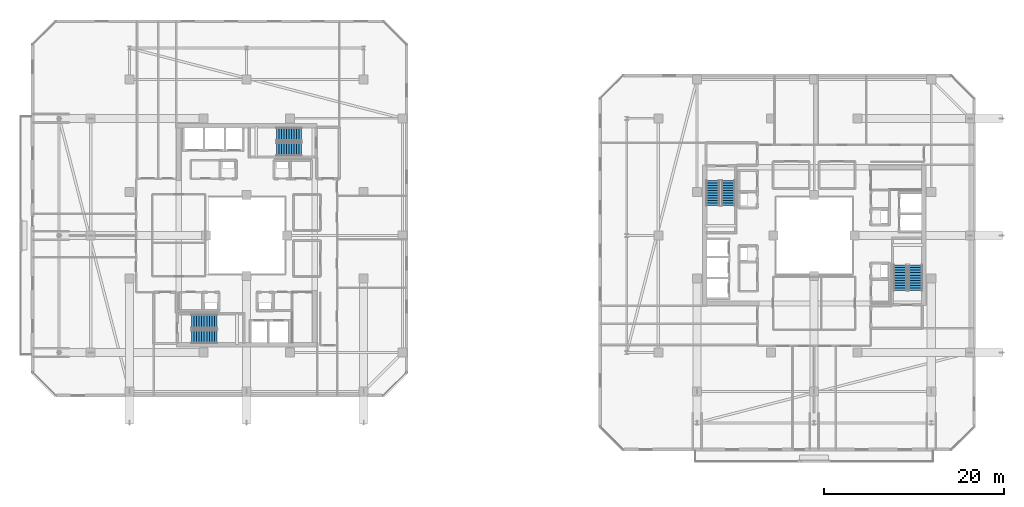
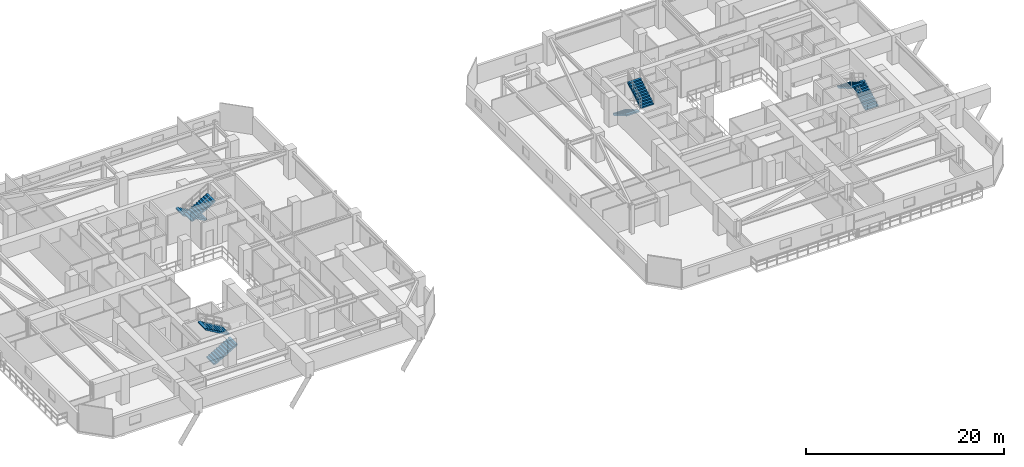
# One storey, part 29 of 35: 8 stair flights, 4 elements without a shape of their own.
"""IFC4 building model written with IfcOpenShell, lengths in metres."""

from ifc_helpers import new_model, si_unit, direction, frame, origin, place, context, subcontext, project, spatial, polyline, outline, extrude, material, type_object, element, aggregate, save


model = new_model("IFC4")

# Units and contexts
model_context = context("Model", 3, precision=1e-05, world=origin(), true_north=direction((0.0, 1.0)))
body_context = subcontext(model_context, "Body", "Model", "MODEL_VIEW")
ifc_project = project(units=[si_unit("LENGTHUNIT", "METRE"), si_unit("AREAUNIT", "SQUARE_METRE"), si_unit("VOLUMEUNIT", "CUBIC_METRE"), si_unit("PLANEANGLEUNIT", "RADIAN"), si_unit("MASSUNIT", "GRAM", prefix="KILO")], contexts=[model_context])

# Site, building, storey
site_placement = place(None, origin())
site = spatial("IfcSite", under=ifc_project, at=site_placement, CompositionType="ELEMENT")
building_placement = place(site_placement, origin())
building = spatial("IfcBuilding", under=site, at=building_placement, Name="Thornwick Lancets Civic Towers", CompositionType="ELEMENT")
storey_placement = place(building_placement, frame((0.0, 0.0, 225.89990234375)))
storey = spatial("IfcBuildingStorey", under=building, at=storey_placement, Name="L60", CompositionType="ELEMENT", Elevation=225.89990234375)

# Stair, stair flights
ifc_material = material(Name="Concrete C40/50", Category="concrete")
stair_type = type_object("IfcStairType", Name="STAIR_DL_3600", PredefinedType="HALF_TURN_STAIR", material=ifc_material)
stair_1_placement = place(storey_placement, origin())
stair_1 = element("IfcStair", 1, at=stair_1_placement, inside=storey, type_object=stair_type, Name="L60 Tower A South Exit Stair ST-A1", PredefinedType="HALF_TURN_STAIR")
stair_flight_type = type_object("IfcStairFlightType", Name="FLIGHT_3600", PredefinedType="STRAIGHT", material=ifc_material)
stair_flight_1_placement = place(storey_placement, frame((19.39990234375, 15.75, 0.0), z_axis=(0.0, 0.0, 1.0), x_axis=(1.0, 0.0, 0.0)))
stair_flight_1 = element("IfcStairFlight", 2, at=stair_flight_1_placement, type_object=stair_flight_type, Name="ST-A1 flight 1", NumberOfRisers=11, NumberOfTreads=10, PredefinedType="STRAIGHT", RiserHeight=0.163636364, TreadLength=0.28, context=body_context, shape_type="SweptSolid", body=[
    extrude(outline(polyline([(0.0, 0.0), (0.0, 0.16357421875), (0.280029296875, 0.16357421875), (0.280029296875, 0.327392578125), (0.56005859375, 0.327392578125), (0.56005859375, 0.490966796875), (0.840087890625, 0.490966796875), (0.840087890625, 0.654541015625), (1.1201171875, 0.654541015625), (1.1201171875, 0.818115234375), (1.39990234375, 0.818115234375), (1.39990234375, 0.98193359375), (1.679931640625, 0.98193359375), (1.679931640625, 1.1455078125), (1.9599609375, 1.1455078125), (1.9599609375, 1.30908203125), (2.239990234375, 1.30908203125), (2.239990234375, 1.47265625), (2.52001953125, 1.47265625), (2.52001953125, 1.636474609375), (2.800048828125, 1.636474609375), (2.800048828125, 1.800048828125), (2.800048828125, 1.462646484375), (0.297119140625, 0.0), (0.0, 0.0)])), frame((0.0, 0.75, 0.0), z_axis=(0.0, -1.0, 0.0), x_axis=(1.0, 0.0, 0.0)), (0.0, 0.0, 1.0), 1.5),
])
stair_flight_2_placement = place(storey_placement, frame((22.199951171875, 17.449951171875, 1.800048828125), z_axis=(0.0, 0.0, 1.0), x_axis=(-1.0, 0.0, 0.0)))
stair_flight_2 = element("IfcStairFlight", 3, at=stair_flight_2_placement, type_object=stair_flight_type, Name="ST-A1 flight 2", NumberOfRisers=11, NumberOfTreads=10, PredefinedType="STRAIGHT", RiserHeight=0.163636364, TreadLength=0.28, context=body_context, shape_type="SweptSolid", body=[
    extrude(outline(polyline([(0.0, 0.0), (0.0, 0.16357421875), (0.280029296875, 0.16357421875), (0.280029296875, 0.327392578125), (0.56005859375, 0.327392578125), (0.56005859375, 0.490966796875), (0.840087890625, 0.490966796875), (0.840087890625, 0.654541015625), (1.1201171875, 0.654541015625), (1.1201171875, 0.818115234375), (1.39990234375, 0.818115234375), (1.39990234375, 0.98193359375), (1.679931640625, 0.98193359375), (1.679931640625, 1.1455078125), (1.9599609375, 1.1455078125), (1.9599609375, 1.30908203125), (2.239990234375, 1.30908203125), (2.239990234375, 1.47265625), (2.52001953125, 1.47265625), (2.52001953125, 1.636474609375), (2.800048828125, 1.636474609375), (2.800048828125, 1.800048828125), (2.800048828125, 1.462646484375), (0.297119140625, 0.0), (0.0, 0.0)])), frame((0.0, 0.75, 0.0), z_axis=(0.0, -1.0, 0.0), x_axis=(1.0, 0.0, 0.0)), (0.0, 0.0, 1.0), 1.5),
])
aggregate(stair_1, [stair_flight_1, stair_flight_2])

stair_2_placement = place(storey_placement, origin())
stair_2 = element("IfcStair", 4, at=stair_2_placement, inside=storey, type_object=stair_type, Name="L60 Tower A North Exit Stair ST-A2", PredefinedType="HALF_TURN_STAIR")
stair_flight_3_placement = place(storey_placement, frame((31.60009765625, 38.25, 0.0), z_axis=(0.0, 0.0, 1.0), x_axis=(-1.0, 0.0, 0.0)))
stair_flight_3 = element("IfcStairFlight", 5, at=stair_flight_3_placement, type_object=stair_flight_type, Name="ST-A2 flight 1", NumberOfRisers=11, NumberOfTreads=10, PredefinedType="STRAIGHT", RiserHeight=0.163636364, TreadLength=0.28, context=body_context, shape_type="SweptSolid", body=[
    extrude(outline(polyline([(0.0, 0.0), (0.0, 0.16357421875), (0.280029296875, 0.16357421875), (0.280029296875, 0.327392578125), (0.56005859375, 0.327392578125), (0.56005859375, 0.490966796875), (0.840087890625, 0.490966796875), (0.840087890625, 0.654541015625), (1.1201171875, 0.654541015625), (1.1201171875, 0.818115234375), (1.39990234375, 0.818115234375), (1.39990234375, 0.98193359375), (1.679931640625, 0.98193359375), (1.679931640625, 1.1455078125), (1.9599609375, 1.1455078125), (1.9599609375, 1.30908203125), (2.239990234375, 1.30908203125), (2.239990234375, 1.47265625), (2.52001953125, 1.47265625), (2.52001953125, 1.636474609375), (2.800048828125, 1.636474609375), (2.800048828125, 1.800048828125), (2.800048828125, 1.462646484375), (0.297119140625, 0.0), (0.0, 0.0)])), frame((0.0, 0.75, 0.0), z_axis=(0.0, -1.0, 0.0), x_axis=(1.0, 0.0, 0.0)), (0.0, 0.0, 1.0), 1.5),
])
stair_flight_4_placement = place(storey_placement, frame((28.800048828125, 36.550048828125, 1.800048828125), z_axis=(0.0, 0.0, 1.0), x_axis=(1.0, 0.0, 0.0)))
stair_flight_4 = element("IfcStairFlight", 6, at=stair_flight_4_placement, type_object=stair_flight_type, Name="ST-A2 flight 2", NumberOfRisers=11, NumberOfTreads=10, PredefinedType="STRAIGHT", RiserHeight=0.163636364, TreadLength=0.28, context=body_context, shape_type="SweptSolid", body=[
    extrude(outline(polyline([(0.0, 0.0), (0.0, 0.16357421875), (0.280029296875, 0.16357421875), (0.280029296875, 0.327392578125), (0.56005859375, 0.327392578125), (0.56005859375, 0.490966796875), (0.840087890625, 0.490966796875), (0.840087890625, 0.654541015625), (1.1201171875, 0.654541015625), (1.1201171875, 0.818115234375), (1.39990234375, 0.818115234375), (1.39990234375, 0.98193359375), (1.679931640625, 0.98193359375), (1.679931640625, 1.1455078125), (1.9599609375, 1.1455078125), (1.9599609375, 1.30908203125), (2.239990234375, 1.30908203125), (2.239990234375, 1.47265625), (2.52001953125, 1.47265625), (2.52001953125, 1.636474609375), (2.800048828125, 1.636474609375), (2.800048828125, 1.800048828125), (2.800048828125, 1.462646484375), (0.297119140625, 0.0), (0.0, 0.0)])), frame((0.0, 0.75, 0.0), z_axis=(0.0, -1.0, 0.0), x_axis=(1.0, 0.0, 0.0)), (0.0, 0.0, 1.0), 1.5),
])
aggregate(stair_2, [stair_flight_3, stair_flight_4])

stair_3_placement = place(storey_placement, origin())
stair_3 = element("IfcStair", 7, at=stair_3_placement, inside=storey, type_object=stair_type, Name="L60 Tower B East Exit Stair ST-B1", PredefinedType="HALF_TURN_STAIR")
stair_flight_5_placement = place(storey_placement, frame((99.75, 20.89990234375, 0.0), z_axis=(0.0, 0.0, 1.0), x_axis=(0.0, 1.0, 0.0)))
stair_flight_5 = element("IfcStairFlight", 8, at=stair_flight_5_placement, type_object=stair_flight_type, Name="ST-B1 flight 1", NumberOfRisers=11, NumberOfTreads=10, PredefinedType="STRAIGHT", RiserHeight=0.163636364, TreadLength=0.28, context=body_context, shape_type="SweptSolid", body=[
    extrude(outline(polyline([(0.0, 0.0), (0.0, 0.16357421875), (0.280029296875, 0.16357421875), (0.280029296875, 0.327392578125), (0.56005859375, 0.327392578125), (0.56005859375, 0.490966796875), (0.840087890625, 0.490966796875), (0.840087890625, 0.654541015625), (1.1201171875, 0.654541015625), (1.1201171875, 0.818115234375), (1.39990234375, 0.818115234375), (1.39990234375, 0.98193359375), (1.679931640625, 0.98193359375), (1.679931640625, 1.1455078125), (1.9599609375, 1.1455078125), (1.9599609375, 1.30908203125), (2.239990234375, 1.30908203125), (2.239990234375, 1.47265625), (2.52001953125, 1.47265625), (2.52001953125, 1.636474609375), (2.800048828125, 1.636474609375), (2.800048828125, 1.800048828125), (2.800048828125, 1.462646484375), (0.297119140625, 0.0), (0.0, 0.0)])), frame((0.0, 0.75, 0.0), z_axis=(0.0, -1.0, 0.0), x_axis=(1.0, 0.0, 0.0)), (0.0, 0.0, 1.0), 1.5),
])
stair_flight_6_placement = place(storey_placement, frame((98.050048828125, 23.699951171875, 1.800048828125), z_axis=(0.0, 0.0, 1.0), x_axis=(0.0, -1.0, 0.0)))
stair_flight_6 = element("IfcStairFlight", 9, at=stair_flight_6_placement, type_object=stair_flight_type, Name="ST-B1 flight 2", NumberOfRisers=11, NumberOfTreads=10, PredefinedType="STRAIGHT", RiserHeight=0.163636364, TreadLength=0.28, context=body_context, shape_type="SweptSolid", body=[
    extrude(outline(polyline([(0.0, 0.0), (0.0, 0.16357421875), (0.280029296875, 0.16357421875), (0.280029296875, 0.327392578125), (0.56005859375, 0.327392578125), (0.56005859375, 0.490966796875), (0.840087890625, 0.490966796875), (0.840087890625, 0.654541015625), (1.1201171875, 0.654541015625), (1.1201171875, 0.818115234375), (1.39990234375, 0.818115234375), (1.39990234375, 0.98193359375), (1.679931640625, 0.98193359375), (1.679931640625, 1.1455078125), (1.9599609375, 1.1455078125), (1.9599609375, 1.30908203125), (2.239990234375, 1.30908203125), (2.239990234375, 1.47265625), (2.52001953125, 1.47265625), (2.52001953125, 1.636474609375), (2.800048828125, 1.636474609375), (2.800048828125, 1.800048828125), (2.800048828125, 1.462646484375), (0.297119140625, 0.0), (0.0, 0.0)])), frame((0.0, 0.75, 0.0), z_axis=(0.0, -1.0, 0.0), x_axis=(1.0, 0.0, 0.0)), (0.0, 0.0, 1.0), 1.5),
])
aggregate(stair_3, [stair_flight_5, stair_flight_6])

stair_4_placement = place(storey_placement, origin())
stair_4 = element("IfcStair", 10, at=stair_4_placement, inside=storey, type_object=stair_type, Name="L60 Tower B West Exit Stair ST-B2", PredefinedType="HALF_TURN_STAIR")
stair_flight_7_placement = place(storey_placement, frame((77.25, 33.10009765625, 0.0), z_axis=(0.0, 0.0, 1.0), x_axis=(0.0, -1.0, 0.0)))
stair_flight_7 = element("IfcStairFlight", 11, at=stair_flight_7_placement, type_object=stair_flight_type, Name="ST-B2 flight 1", NumberOfRisers=11, NumberOfTreads=10, PredefinedType="STRAIGHT", RiserHeight=0.163636364, TreadLength=0.28, context=body_context, shape_type="SweptSolid", body=[
    extrude(outline(polyline([(0.0, 0.0), (0.0, 0.16357421875), (0.280029296875, 0.16357421875), (0.280029296875, 0.327392578125), (0.56005859375, 0.327392578125), (0.56005859375, 0.490966796875), (0.840087890625, 0.490966796875), (0.840087890625, 0.654541015625), (1.1201171875, 0.654541015625), (1.1201171875, 0.818115234375), (1.39990234375, 0.818115234375), (1.39990234375, 0.98193359375), (1.679931640625, 0.98193359375), (1.679931640625, 1.1455078125), (1.9599609375, 1.1455078125), (1.9599609375, 1.30908203125), (2.239990234375, 1.30908203125), (2.239990234375, 1.47265625), (2.52001953125, 1.47265625), (2.52001953125, 1.636474609375), (2.800048828125, 1.636474609375), (2.800048828125, 1.800048828125), (2.800048828125, 1.462646484375), (0.297119140625, 0.0), (0.0, 0.0)])), frame((0.0, 0.75, 0.0), z_axis=(0.0, -1.0, 0.0), x_axis=(1.0, 0.0, 0.0)), (0.0, 0.0, 1.0), 1.5),
])
stair_flight_8_placement = place(storey_placement, frame((78.949951171875, 30.300048828125, 1.800048828125), z_axis=(0.0, 0.0, 1.0), x_axis=(0.0, 1.0, 0.0)))
stair_flight_8 = element("IfcStairFlight", 12, at=stair_flight_8_placement, type_object=stair_flight_type, Name="ST-B2 flight 2", NumberOfRisers=11, NumberOfTreads=10, PredefinedType="STRAIGHT", RiserHeight=0.163636364, TreadLength=0.28, context=body_context, shape_type="SweptSolid", body=[
    extrude(outline(polyline([(0.0, 0.0), (0.0, 0.16357421875), (0.280029296875, 0.16357421875), (0.280029296875, 0.327392578125), (0.56005859375, 0.327392578125), (0.56005859375, 0.490966796875), (0.840087890625, 0.490966796875), (0.840087890625, 0.654541015625), (1.1201171875, 0.654541015625), (1.1201171875, 0.818115234375), (1.39990234375, 0.818115234375), (1.39990234375, 0.98193359375), (1.679931640625, 0.98193359375), (1.679931640625, 1.1455078125), (1.9599609375, 1.1455078125), (1.9599609375, 1.30908203125), (2.239990234375, 1.30908203125), (2.239990234375, 1.47265625), (2.52001953125, 1.47265625), (2.52001953125, 1.636474609375), (2.800048828125, 1.636474609375), (2.800048828125, 1.800048828125), (2.800048828125, 1.462646484375), (0.297119140625, 0.0), (0.0, 0.0)])), frame((0.0, 0.75, 0.0), z_axis=(0.0, -1.0, 0.0), x_axis=(1.0, 0.0, 0.0)), (0.0, 0.0, 1.0), 1.5),
])
aggregate(stair_4, [stair_flight_7, stair_flight_8])

save(model, "model.ifc")
